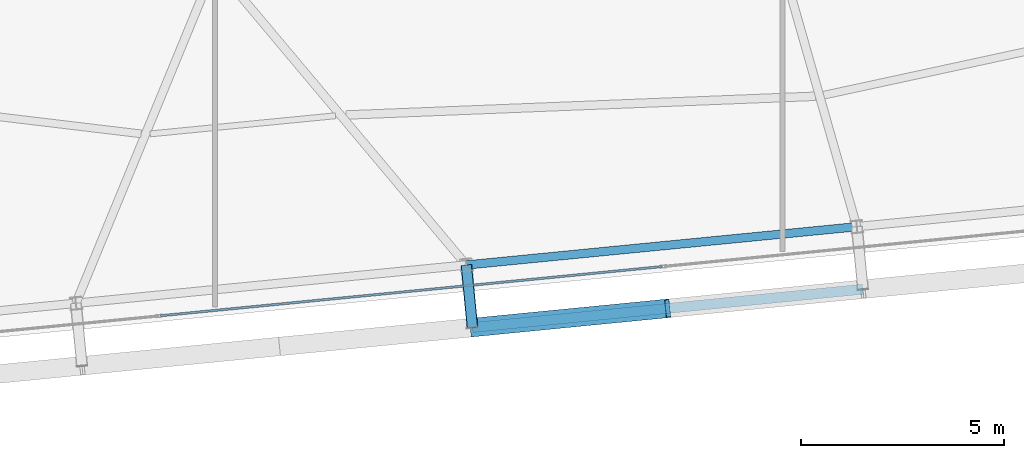
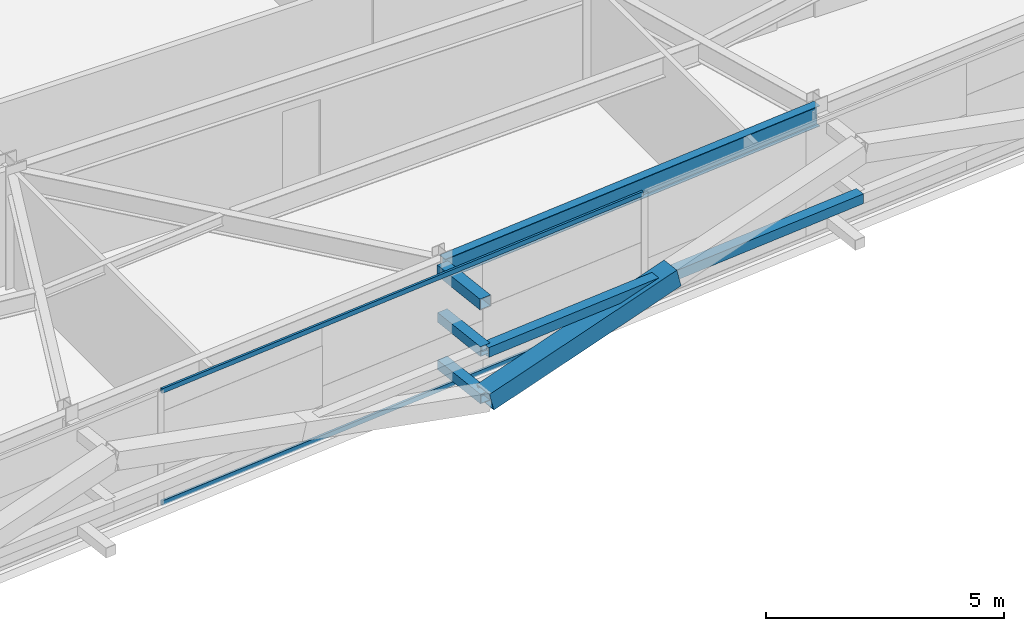
# One storey, part 10 of 47: 7 members, 1 beam, 1 element without a shape of its own.
"""IFC4 building model written with IfcOpenShell, lengths in metres."""

from ifc_helpers import new_model, si_unit, direction, frame, origin, origin_2d, place, context, subcontext, project, spatial, hollow_rectangle, i_section, extrude, source, transform, mapped, material, layer, layer_set, material_profile, profile_set, type_object, element, aggregate, save


model = new_model("IFC4")

# Units and contexts
model_context = context("Model", 3, precision=1e-05, world=origin(), true_north=direction((0.0, 1.0)))
body_context = subcontext(model_context, "Body", "Model", "MODEL_VIEW")
ifc_project = project(units=[si_unit("LENGTHUNIT", "METRE"), si_unit("AREAUNIT", "SQUARE_METRE"), si_unit("VOLUMEUNIT", "CUBIC_METRE"), si_unit("PLANEANGLEUNIT", "RADIAN"), si_unit("MASSUNIT", "GRAM", prefix="KILO")], contexts=[model_context])

# Site, building, storey
site_placement = place(None, origin())
site = spatial("IfcSite", under=ifc_project, at=site_placement, CompositionType="ELEMENT")
building_placement = place(site_placement, origin())
building = spatial("IfcBuilding", under=site, at=building_placement, Name="Taldren Reach Tower", CompositionType="ELEMENT")
storey_placement = place(building_placement, frame((0.0, 0.0, 106.050048828125)))
storey = spatial("IfcBuildingStorey", under=building, at=storey_placement, Name="L32", CompositionType="ELEMENT", Elevation=106.050048828125)

# Beam
ifc_material_1 = material(Name="Steel Gr 350 (350PLUS)", Category="steel")
ifc_material_profile_1 = material_profile(ifc_material_1, i_section(OverallWidth=0.208984375, OverallDepth=0.528076171875, WebThickness=0.009521484375, FlangeThickness=0.01318359375, at=origin_2d()), Name="530UB82.0")
ifc_profile_set_1 = profile_set([ifc_material_profile_1], Name="Steel Gr 350 (350PLUS)")
beam_type = type_object("IfcBeamType", Name="SP-UB530B", PredefinedType="SPANDREL", material=ifc_profile_set_1)
shared_shape_1 = source(origin(), body_context, "Body", "SweptSolid", [
    extrude(i_section(OverallWidth=0.208984375, OverallDepth=0.528076171875, WebThickness=0.009521484375, FlangeThickness=0.01318359375, at=origin_2d()), origin(), (0.0, 0.0, 1.0), 9.679931640625),
])
beam_placement = place(storey_placement, frame((34.20166015625, 1.809326171875, 2.666015625), z_axis=(0.995227612658, 0.097580730699, 0.0), x_axis=(-0.097580730699, 0.995227612658, 0.0)))
element("IfcBeam", 1, at=beam_placement, inside=storey, type_object=beam_type, Name="Perimeter spandrel B2 S3-S4 L32", PredefinedType="SPANDREL", context=body_context, shape_type="MappedRepresentation", body=[
    mapped(shared_shape_1, transform((0.0, 0.0, 0.0), scale=1.0)),
])

# Members
ifc_material_2 = material(Name="Steel Gr 450 (C450L0)", Category="steel")
ifc_material_profile_2 = material_profile(ifc_material_2, hollow_rectangle(XDim=0.27490234375, YDim=0.27490234375, WallThickness=0.00927734375, at=origin_2d()), Name="275x275x9.3SHS")
ifc_profile_set_2 = profile_set([ifc_material_profile_2], Name="Steel Gr 450 (C450L0)")
member_type_1 = type_object("IfcMemberType", Name="MB-TIE273", PredefinedType="STRUT", material=ifc_profile_set_2)
shared_shape_2 = source(origin(), body_context, "Body", "SweptSolid", [
    extrude(hollow_rectangle(XDim=0.27490234375, YDim=0.27490234375, WallThickness=0.00927734375, at=origin_2d()), origin(), (0.0, 0.0, 1.0), 1.550048828125),
])
member_1_placement = place(storey_placement, frame((34.20166015625, 1.809326171875, 2.64990234375), z_axis=(0.097647892962, -0.9952210252, 0.0), x_axis=(0.9952210252, 0.097647892962, 0.0)))
element("IfcMember", 2, at=member_1_placement, inside=storey, type_object=member_type_1, Name="Exoskeleton diaphragm tie strut B2-S3 L32", PredefinedType="STRUT", context=body_context, shape_type="MappedRepresentation", body=[
    mapped(shared_shape_2, transform((0.0, 0.0, 0.0), scale=1.0)),
])
ifc_material_profile_3 = material_profile(ifc_material_2, hollow_rectangle(XDim=0.4599609375, YDim=0.4599609375, WallThickness=0.01611328125, at=origin_2d()), Name="460x460x16.0SHS")
ifc_profile_set_3 = profile_set([ifc_material_profile_3], Name="Steel Gr 450 (C450L0)")
member_type_2 = type_object("IfcMemberType", Name="MB-EXO457", PredefinedType="BRACE", material=ifc_profile_set_3)
shared_shape_3 = source(origin(), body_context, "Body", "SweptSolid", [
    extrude(hollow_rectangle(XDim=0.4599609375, YDim=0.4599609375, WallThickness=0.01611328125, at=origin_2d()), origin(), (0.0, 0.0, 1.0), 4.990234375),
])
member_2_placement = place(storey_placement, frame((34.35302734375, 0.2666015625, 0.219970703125), z_axis=(0.965271056716, 0.094667992638, 0.243494883389), x_axis=(-0.097605711627, 0.995225162995, 0.0)))
element("IfcMember", 3, at=member_2_placement, inside=storey, type_object=member_type_2, Name="Exoskeleton Diagrid Brace B2-S3 L32", PredefinedType="BRACE", context=body_context, shape_type="MappedRepresentation", body=[
    mapped(shared_shape_3, transform((0.0, 0.0, 0.0), scale=1.0)),
])
ifc_material_3 = material(Name="Steel Gr 350 (C350L0)", Category="steel")
ifc_material_profile_4 = material_profile(ifc_material_3, hollow_rectangle(XDim=0.25, YDim=0.25, WallThickness=0.010009765625, at=origin_2d()), Name="250x250x10.0SHS")
ifc_profile_set_4 = profile_set([ifc_material_profile_4], Name="Steel Gr 350 (C350L0)")
member_type_3 = type_object("IfcMemberType", Name="MB-POST250", PredefinedType="POST", material=ifc_profile_set_4)
shared_shape_4 = source(origin(), body_context, "Body", "SweptSolid", [
    extrude(hollow_rectangle(XDim=0.25, YDim=0.25, WallThickness=0.010009765625, at=origin_2d()), origin(), (0.0, 0.0, 1.0), 9.679931640625),
])
member_3_placement = place(storey_placement, frame((34.35302734375, 0.2666015625, 1.43505859375), z_axis=(0.995225162995, 0.097605711627, 0.0), x_axis=(-0.097605711627, 0.995225162995, 0.0)))
element("IfcMember", 4, at=member_3_placement, inside=storey, type_object=member_type_3, Name="Exoskeleton mid-height ring chord B2-S3 L32", PredefinedType="POST", context=body_context, shape_type="MappedRepresentation", body=[
    mapped(shared_shape_4, transform((0.0, 0.0, 0.0), scale=1.0)),
])
shared_shape_5 = source(origin(), body_context, "Body", "SweptSolid", [
    extrude(hollow_rectangle(XDim=0.25, YDim=0.25, WallThickness=0.010009765625, at=origin_2d()), origin(), (0.0, 0.0, 1.0), 1.550048828125),
])
for number, where, z_axis, x_axis, name in (
    (5, (34.20166015625, 1.809326171875, 0.219970703125), (0.097647892962, -0.9952210252, 0.0), (0.9952210252, 0.097647892962, 0.0), "Exoskeleton base diaphragm tie strut B2-S3 L32"),
    (6, (34.20166015625, 1.809326171875, 1.43505859375), (0.097647892962, -0.9952210252, 0.0), (0.9952210252, 0.097647892962, 0.0), "Exoskeleton mid-tier diaphragm tie B2-S3 L32"),
):
    element("IfcMember", number, at=place(storey_placement, frame(where, z_axis=z_axis, x_axis=x_axis)), inside=storey, type_object=member_type_3, Name=name, PredefinedType="POST", context=body_context, shape_type="MappedRepresentation", body=[
        mapped(shared_shape_5, transform((0.0, 0.0, 0.0), scale=1.0)),
    ])

# Curtain wall, members
ifc_material_4 = material(Name="Aluminium and Low-E Glass Unitised System", Category="aluminium")
ifc_layer = layer(ifc_material_4, 0.159912109375)
ifc_layer_set = layer_set([ifc_layer], Name="Aluminium and Low-E Glass Unitised System")
curtain_wall_type = type_object("IfcCurtainWallType", Name="CW-SYS-3", PredefinedType="NOTDEFINED", material=ifc_layer_set)
curtain_wall_placement = place(storey_placement, origin())
curtain_wall = element("IfcCurtainWall", 7, at=curtain_wall_placement, inside=storey, type_object=curtain_wall_type, Name="Unitised curtain wall CW-L32-S", PredefinedType="NOTDEFINED")
ifc_material_5 = material(Name="Anodised Aluminium 6063-T6", Category="aluminium")
ifc_material_profile_5 = material_profile(ifc_material_5, hollow_rectangle(XDim=0.054931640625, YDim=0.1201171875, WallThickness=0.0029296875, at=origin_2d()), Name="ALU-120x55x3RHS")
ifc_profile_set_5 = profile_set([ifc_material_profile_5], Name="Anodised Aluminium 6063-T6")
member_type_4 = type_object("IfcMemberType", Name="CW-TRN-135", PredefinedType="USERDEFINED", material=ifc_profile_set_5)
shared_shape_6 = source(origin(), body_context, "Body", "SweptSolid", [
    extrude(hollow_rectangle(XDim=0.054931640625, YDim=0.1201171875, WallThickness=0.0029296875, at=origin_2d()), origin(), (0.0, 0.0, 1.0), 12.43505859375),
])
member_4_placement = place(storey_placement, frame((26.660400390625, 0.557373046875, 0.02734375), z_axis=(0.995227964368, 0.097577143535, 0.0), x_axis=(-0.097577143535, 0.995227964368, 0.0)))
member_4 = element("IfcMember", 8, at=member_4_placement, type_object=member_type_4, Name="CW-3 transom 2.1", ObjectType="TRANSOM", PredefinedType="USERDEFINED", context=body_context, shape_type="MappedRepresentation", body=[
    mapped(shared_shape_6, transform((0.0, 0.0, 0.0), scale=1.0)),
])
member_5_placement = place(storey_placement, frame((26.660400390625, 0.557373046875, 2.90234375), z_axis=(0.995227964368, 0.097577143535, 0.0), x_axis=(-0.097577143535, 0.995227964368, 0.0)))
member_5 = element("IfcMember", 9, at=member_5_placement, type_object=member_type_4, Name="CW-3 transom 2.2", ObjectType="TRANSOM", PredefinedType="USERDEFINED", context=body_context, shape_type="MappedRepresentation", body=[
    mapped(shared_shape_6, transform((0.0, 0.0, 0.0), scale=1.0)),
])
aggregate(curtain_wall, [member_4, member_5])

save(model, "model.ifc")
